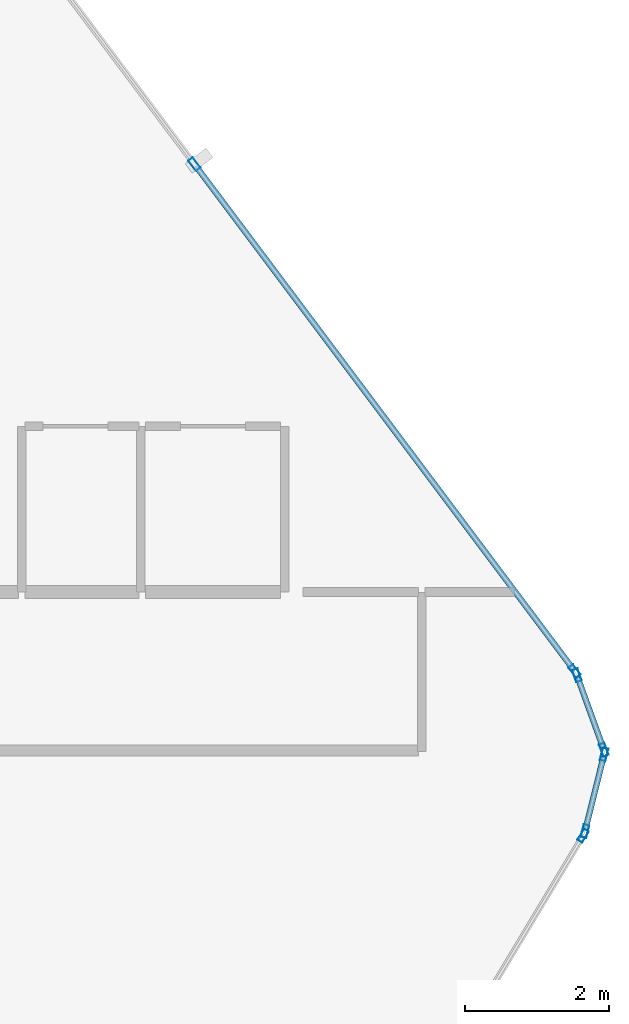
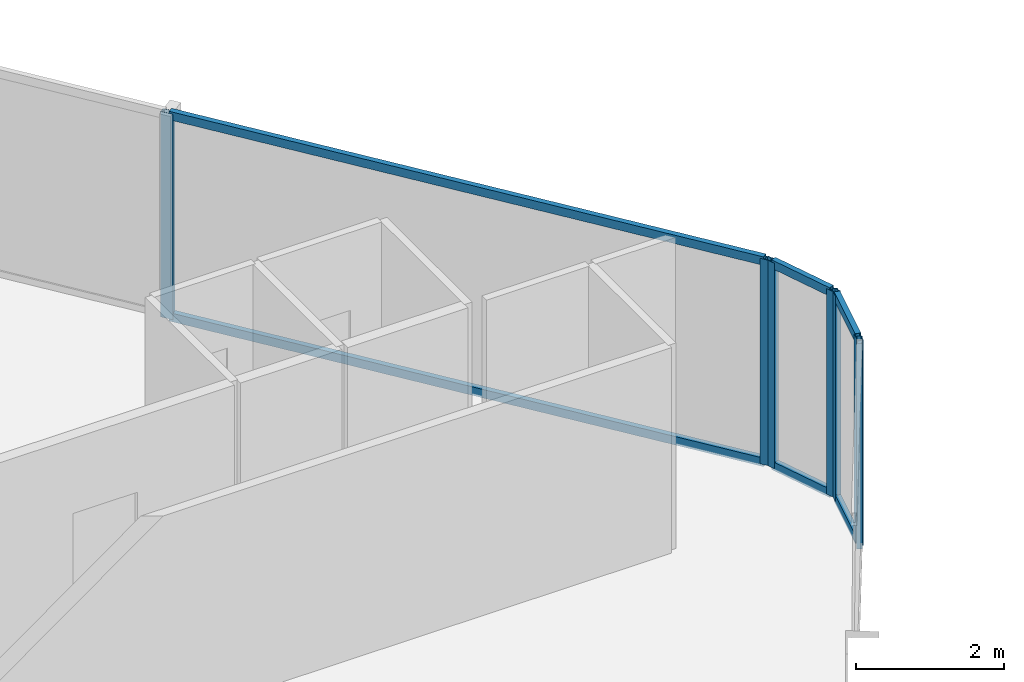
# One storey, part 18 of 29: 13 members, 4 elements without a shape of their own.
"""IFC4 building model written with IfcOpenShell, lengths in metres."""

from ifc_helpers import new_model, si_unit, direction, frame, origin, origin_2d, place, context, subcontext, project, spatial, hollow_rectangle, extrude, material, layer, layer_set, material_profile, profile_set, type_object, element, aggregate, save


model = new_model("IFC4")

# Units and contexts
model_context = context("Model", 3, precision=1e-05, world=origin(), true_north=direction((0.0, 1.0)))
body_context = subcontext(model_context, "Body", "Model", "MODEL_VIEW")
ifc_project = project(units=[si_unit("LENGTHUNIT", "METRE"), si_unit("AREAUNIT", "SQUARE_METRE"), si_unit("VOLUMEUNIT", "CUBIC_METRE"), si_unit("PLANEANGLEUNIT", "RADIAN"), si_unit("MASSUNIT", "GRAM", prefix="KILO")], contexts=[model_context])

# Site, building, storey
site_placement = place(None, origin())
site = spatial("IfcSite", under=ifc_project, at=site_placement, CompositionType="ELEMENT")
building_placement = place(site_placement, origin())
building = spatial("IfcBuilding", under=site, at=building_placement, Name="Keshet Zoharim Tower", CompositionType="ELEMENT")
storey_placement = place(building_placement, frame((0.0, 0.0, 102.0)))
storey = spatial("IfcBuildingStorey", under=building, at=storey_placement, Name="L24", CompositionType="ELEMENT", Elevation=102.0)

# Curtain wall, members
ifc_material = material(Name="Aluminium 6063-T6", Category="aluminium")
ifc_layer = layer(ifc_material, 0.159912109375)
ifc_layer_set = layer_set([ifc_layer], Name="Aluminium 6063-T6")
curtain_wall_type = type_object("IfcCurtainWallType", Name="CW-SYS-03", PredefinedType="NOTDEFINED", material=ifc_layer_set)
curtain_wall_1_placement = place(storey_placement, origin())
curtain_wall_1 = element("IfcCurtainWall", 1, at=curtain_wall_1_placement, inside=storey, type_object=curtain_wall_type, Name="L24 Unitised Curtain Wall 15", PredefinedType="NOTDEFINED")
ifc_material_profile_1 = material_profile(ifc_material, hollow_rectangle(XDim=0.080078125, YDim=0.179931640625, WallThickness=0.00439453125, at=origin_2d()), Name="MUL-80x180")
ifc_profile_set_1 = profile_set([ifc_material_profile_1], Name="Aluminium 6063-T6")
member_type_1 = type_object("IfcMemberType", Name="CWM-M18", PredefinedType="MULLION", material=ifc_profile_set_1)
member_1_placement = place(storey_placement, frame((56.896484375, 46.0380859375, 0.0), z_axis=(0.0, 0.0, 1.0), x_axis=(0.799999999998, 0.600000000002, 0.0)))
member_1 = element("IfcMember", 2, at=member_1_placement, type_object=member_type_1, Name="CW-03 mullion 2", PredefinedType="MULLION", context=body_context, shape_type="SweptSolid", body=[
    extrude(hollow_rectangle(XDim=0.080078125, YDim=0.179931640625, WallThickness=0.00439453125, at=origin_2d()), origin(), (0.0, 0.0, 1.0), 3.385009765625),
])
member_2_placement = place(storey_placement, frame((62.172119140625, 39.00390625, 0.0), z_axis=(0.0, 0.0, 1.0), x_axis=(0.799999999998, 0.600000000002, 0.0)))
member_2 = element("IfcMember", 3, at=member_2_placement, type_object=member_type_1, Name="CW-03 mullion 3", PredefinedType="MULLION", context=body_context, shape_type="SweptSolid", body=[
    extrude(hollow_rectangle(XDim=0.080078125, YDim=0.179931640625, WallThickness=0.00439453125, at=origin_2d()), origin(), (0.0, 0.0, 1.0), 3.385009765625),
])

curtain_wall_2_placement = place(storey_placement, origin())
curtain_wall_2 = element("IfcCurtainWall", 4, at=curtain_wall_2_placement, inside=storey, type_object=curtain_wall_type, Name="L24 Unitised Curtain Wall 16", PredefinedType="NOTDEFINED")
member_3_placement = place(storey_placement, frame((62.204833984375, 38.943115234375, 0.0), z_axis=(0.0, 0.0, 1.0), x_axis=(0.940317877544, 0.340297354046, 0.0)))
member_3 = element("IfcMember", 5, at=member_3_placement, type_object=member_type_1, Name="CW-03 mullion 1", PredefinedType="MULLION", context=body_context, shape_type="SweptSolid", body=[
    extrude(hollow_rectangle(XDim=0.080078125, YDim=0.179931640625, WallThickness=0.00439453125, at=origin_2d()), origin(), (0.0, 0.0, 1.0), 3.385009765625),
])
member_4_placement = place(storey_placement, frame((62.578125, 37.911865234375, 0.0), z_axis=(0.0, 0.0, 1.0), x_axis=(0.940317877544, 0.340297354046, 0.0)))
member_4 = element("IfcMember", 6, at=member_4_placement, type_object=member_type_1, Name="CW-03 mullion 2", PredefinedType="MULLION", context=body_context, shape_type="SweptSolid", body=[
    extrude(hollow_rectangle(XDim=0.080078125, YDim=0.179931640625, WallThickness=0.00439453125, at=origin_2d()), origin(), (0.0, 0.0, 1.0), 3.385009765625),
])

curtain_wall_3_placement = place(storey_placement, origin())
curtain_wall_3 = element("IfcCurtainWall", 7, at=curtain_wall_3_placement, inside=storey, type_object=curtain_wall_type, Name="L24 Unitised Curtain Wall 17", PredefinedType="NOTDEFINED")
member_5_placement = place(storey_placement, frame((62.58154296875, 37.844970703125, 0.0), z_axis=(0.0, 0.0, 1.0), x_axis=(0.970343857447, -0.241728770141, 0.0)))
member_5 = element("IfcMember", 8, at=member_5_placement, type_object=member_type_1, Name="CW-03 mullion 1", PredefinedType="MULLION", context=body_context, shape_type="SweptSolid", body=[
    extrude(hollow_rectangle(XDim=0.080078125, YDim=0.179931640625, WallThickness=0.00439453125, at=origin_2d()), origin(), (0.0, 0.0, 1.0), 3.385009765625),
])
member_6_placement = place(storey_placement, frame((62.31640625, 36.781005859375, 0.0), z_axis=(0.0, 0.0, 1.0), x_axis=(0.970343857447, -0.241728770141, 0.0)))
member_6 = element("IfcMember", 9, at=member_6_placement, type_object=member_type_1, Name="CW-03 mullion 2", PredefinedType="MULLION", context=body_context, shape_type="SweptSolid", body=[
    extrude(hollow_rectangle(XDim=0.080078125, YDim=0.179931640625, WallThickness=0.00439453125, at=origin_2d()), origin(), (0.0, 0.0, 1.0), 3.385009765625),
])

# Curtain wall, member
curtain_wall_4_placement = place(storey_placement, origin())
curtain_wall_4 = element("IfcCurtainWall", 10, at=curtain_wall_4_placement, inside=storey, type_object=curtain_wall_type, Name="L24 Unitised Curtain Wall 18", PredefinedType="NOTDEFINED")
member_7_placement = place(storey_placement, frame((62.2900390625, 36.717041015625, 0.0), z_axis=(0.0, 0.0, 1.0), x_axis=(0.857501477862, -0.514481501576, 0.0)))
member_7 = element("IfcMember", 11, at=member_7_placement, type_object=member_type_1, Name="CW-03 mullion 1", PredefinedType="MULLION", context=body_context, shape_type="SweptSolid", body=[
    extrude(hollow_rectangle(XDim=0.080078125, YDim=0.179931640625, WallThickness=0.00439453125, at=origin_2d()), origin(), (0.0, 0.0, 1.0), 3.385009765625),
])
aggregate(curtain_wall_4, [member_7])

# Member
ifc_material_profile_2 = material_profile(ifc_material, hollow_rectangle(XDim=0.080078125, YDim=0.139892578125, WallThickness=0.00390625, at=origin_2d()), Name="TRN-80x140")
ifc_profile_set_2 = profile_set([ifc_material_profile_2], Name="Aluminium 6063-T6")
member_type_2 = type_object("IfcMemberType", Name="CWT-T14", PredefinedType="USERDEFINED", material=ifc_profile_set_2)
member_8_placement = place(storey_placement, frame((56.91748046875, 46.010009765625, 0.034912109375), z_axis=(0.599991043201, -0.800006717521, 0.0), x_axis=(0.800006717521, 0.599991043201, 0.0)))
member_8 = element("IfcMember", 12, at=member_8_placement, type_object=member_type_2, Name="CW-03 transom 2.1", ObjectType="TRANSOM", PredefinedType="USERDEFINED", context=body_context, shape_type="SweptSolid", body=[
    extrude(hollow_rectangle(XDim=0.080078125, YDim=0.139892578125, WallThickness=0.00390625, at=origin_2d()), origin(), (0.0, 0.0, 1.0), 8.722412109375),
])

member_9_placement = place(storey_placement, frame((56.91748046875, 46.010009765625, 3.35009765625), z_axis=(0.599991043201, -0.800006717521, 0.0), x_axis=(0.800006717521, 0.599991043201, 0.0)))
member_9 = element("IfcMember", 13, at=member_9_placement, type_object=member_type_2, Name="CW-03 transom 2.2", ObjectType="TRANSOM", PredefinedType="USERDEFINED", context=body_context, shape_type="SweptSolid", body=[
    extrude(hollow_rectangle(XDim=0.080078125, YDim=0.139892578125, WallThickness=0.00390625, at=origin_2d()), origin(), (0.0, 0.0, 1.0), 8.722412109375),
])

aggregate(curtain_wall_1, [member_1, member_2, member_8, member_9])

member_10_placement = place(storey_placement, frame((62.216796875, 38.91015625, 0.034912109375), z_axis=(0.340310579984, -0.940313091024, 0.0), x_axis=(0.940313091024, 0.340310579984, 0.0)))
member_10 = element("IfcMember", 14, at=member_10_placement, type_object=member_type_2, Name="CW-03 transom 1.1", ObjectType="TRANSOM", PredefinedType="USERDEFINED", context=body_context, shape_type="SweptSolid", body=[
    extrude(hollow_rectangle(XDim=0.080078125, YDim=0.139892578125, WallThickness=0.00390625, at=origin_2d()), origin(), (0.0, 0.0, 1.0), 1.026611328125),
])

member_11_placement = place(storey_placement, frame((62.216796875, 38.91015625, 3.35009765625), z_axis=(0.340310579984, -0.940313091024, 0.0), x_axis=(0.940313091024, 0.340310579984, 0.0)))
member_11 = element("IfcMember", 15, at=member_11_placement, type_object=member_type_2, Name="CW-03 transom 1.2", ObjectType="TRANSOM", PredefinedType="USERDEFINED", context=body_context, shape_type="SweptSolid", body=[
    extrude(hollow_rectangle(XDim=0.080078125, YDim=0.139892578125, WallThickness=0.00390625, at=origin_2d()), origin(), (0.0, 0.0, 1.0), 1.026611328125),
])

aggregate(curtain_wall_2, [member_3, member_4, member_10, member_11])

member_12_placement = place(storey_placement, frame((62.572998046875, 37.81103515625, 0.034912109375), z_axis=(-0.241640143717, -0.970365931463, 0.0), x_axis=(0.970365931463, -0.241640143717, 0.0)))
member_12 = element("IfcMember", 16, at=member_12_placement, type_object=member_type_2, Name="CW-03 transom 1.1", ObjectType="TRANSOM", PredefinedType="USERDEFINED", context=body_context, shape_type="SweptSolid", body=[
    extrude(hollow_rectangle(XDim=0.080078125, YDim=0.139892578125, WallThickness=0.00390625, at=origin_2d()), origin(), (0.0, 0.0, 1.0), 1.026611328125),
])

member_13_placement = place(storey_placement, frame((62.572998046875, 37.81103515625, 3.35009765625), z_axis=(-0.241640143717, -0.970365931463, 0.0), x_axis=(0.970365931463, -0.241640143717, 0.0)))
member_13 = element("IfcMember", 17, at=member_13_placement, type_object=member_type_2, Name="CW-03 transom 1.2", ObjectType="TRANSOM", PredefinedType="USERDEFINED", context=body_context, shape_type="SweptSolid", body=[
    extrude(hollow_rectangle(XDim=0.080078125, YDim=0.139892578125, WallThickness=0.00390625, at=origin_2d()), origin(), (0.0, 0.0, 1.0), 1.026611328125),
])

aggregate(curtain_wall_3, [member_5, member_6, member_12, member_13])

save(model, "model.ifc")
